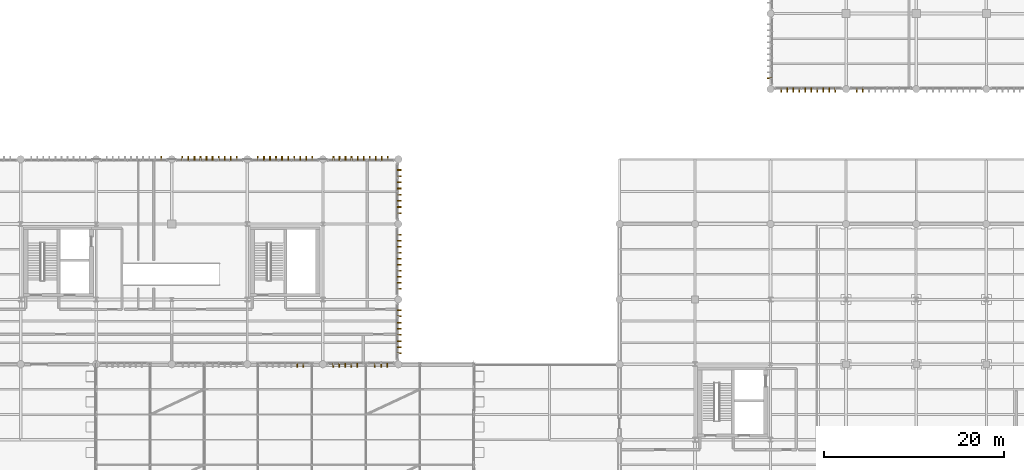
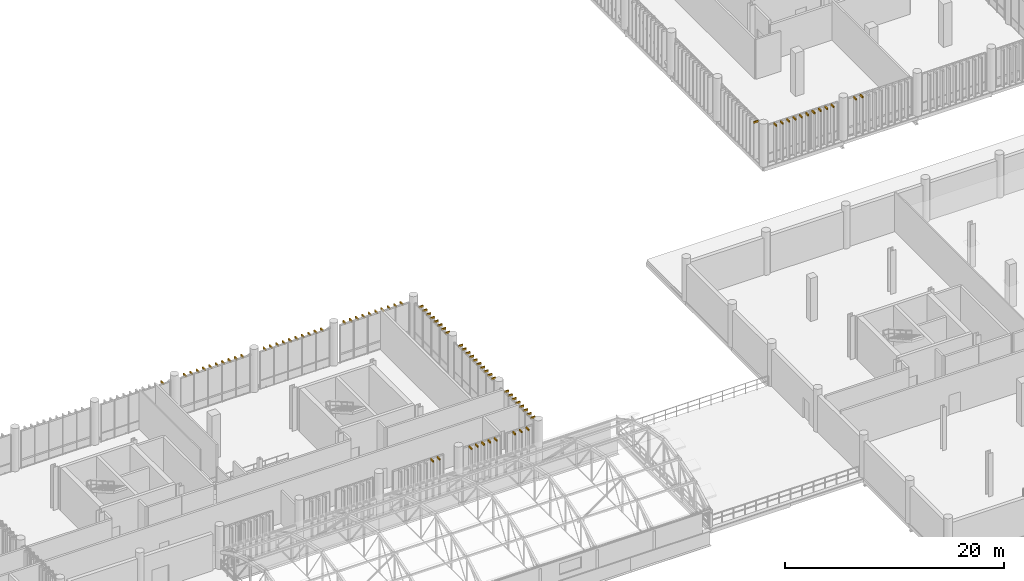
# One storey, part 108 of 109: 80 shading devices.
"""IFC4 building model written with IfcOpenShell, lengths in metres."""

import ifcopenshell
import ifcopenshell.guid

model = None  # the IFC model being written
_history = None  # IfcOwnerHistory: only IFC2X3 demands one
_inside = {}  # id of a spatial element -> (the spatial element, [elements in it])
_under = {}  # id of a project, library or spatial element -> (it, [spatial elements below it])
_declared = {}  # id of a project -> (the project, [libraries it declares])
_typed = {}  # id of a type object -> (the type object, [elements of that type])
_made_of = {}  # id of a material, layer set ... -> (it, [elements and type objects made of it])


def new_model(schema):
    """Start an empty IFC model of exactly this schema.

    Asked for "IFC4X3", IfcOpenShell would pick the latest addendum, in which some entities
    have other attributes; the version numbers below select the first issue.
    IFC2X3 requires an IfcOwnerHistory on every rooted entity: one is made here for all.
    """
    global model, _history
    if schema == "IFC4X3":
        model = ifcopenshell.file(schema_version=(4, 3, 0, 0))
    else:
        model = ifcopenshell.file(schema=schema)
    _inside.clear()
    _under.clear()
    _declared.clear()
    _typed.clear()
    _made_of.clear()
    _history = None
    if model.schema == "IFC2X3":
        org = make("IfcOrganization", Name="unknown")
        user = make(
            "IfcPersonAndOrganization",
            ThePerson=make("IfcPerson", FamilyName="unknown"),
            TheOrganization=org,
        )
        app = make(
            "IfcApplication",
            ApplicationDeveloper=org,
            Version="unknown",
            ApplicationFullName="unknown",
            ApplicationIdentifier="unknown",
        )
        _history = make(
            "IfcOwnerHistory",
            OwningUser=user,
            OwningApplication=app,
            ChangeAction="ADDED",
            CreationDate=0,
        )
    return model


def make(cls, **values):
    """One entity of the class cls with the attributes given. An attribute that is None is left unset."""
    return model.create_entity(
        cls, **{name: value for name, value in values.items() if value is not None}
    )


def rooted(cls, **values):
    """An entity with a GlobalId (a new one), such as an element, a storey or a relation."""
    return make(cls, GlobalId=ifcopenshell.guid.new(), OwnerHistory=_history, **values)


def si_unit(unit_type, name, prefix=None):
    """IfcSIUnit, for example si_unit("LENGTHUNIT", "METRE", prefix="MILLI")."""
    return make("IfcSIUnit", UnitType=unit_type, Prefix=prefix, Name=name)


def assignment(units):
    """IfcUnitAssignment: the units of a project."""
    return None if units is None else make("IfcUnitAssignment", Units=units)


def point(xyz):
    """IfcCartesianPoint."""
    return None if xyz is None else make("IfcCartesianPoint", Coordinates=xyz)


def direction(xyz):
    """IfcDirection."""
    return None if xyz is None else make("IfcDirection", DirectionRatios=xyz)


def frame(location, z_axis=None, x_axis=None):
    """IfcAxis2Placement3D, a coordinate frame: its origin and axes. An axis left out is left unset."""
    return make(
        "IfcAxis2Placement3D",
        Location=point(location),
        Axis=direction(z_axis),
        RefDirection=direction(x_axis),
    )


def frame_2d(location, x_axis=None):
    """IfcAxis2Placement2D, a coordinate frame in the plane: its origin and x axis."""
    return make(
        "IfcAxis2Placement2D", Location=point(location), RefDirection=direction(x_axis)
    )


def origin_with_axes():
    """The frame at (0, 0, 0) with the z axis (0, 0, 1) and the x axis (1, 0, 0) written out."""
    return frame((0.0, 0.0, 0.0), z_axis=(0.0, 0.0, 1.0), x_axis=(1.0, 0.0, 0.0))


def origin_2d_with_axis():
    """The frame at (0, 0) in the plane with the x axis (1, 0) written out."""
    return frame_2d((0.0, 0.0), x_axis=(1.0, 0.0))


def place(relative_to, where):
    """IfcLocalPlacement: puts the frame where relative to a parent placement (None: the world)."""
    return make(
        "IfcLocalPlacement", PlacementRelTo=relative_to, RelativePlacement=where
    )


def context(
    kind, dimensions, precision=None, world=None, true_north=None, identifier=None
):
    """IfcGeometricRepresentationContext, for example the 3D "Model" context."""
    return make(
        "IfcGeometricRepresentationContext",
        ContextIdentifier=identifier,
        ContextType=kind,
        CoordinateSpaceDimension=dimensions,
        Precision=precision,
        WorldCoordinateSystem=world,
        TrueNorth=true_north,
    )


def subcontext(parent, identifier, kind, view, scale=None):
    """IfcGeometricRepresentationSubContext, for example "Body" below "Model"."""
    return make(
        "IfcGeometricRepresentationSubContext",
        ContextIdentifier=identifier,
        ContextType=kind,
        ParentContext=parent,
        TargetScale=scale,
        TargetView=view,
    )


def project(units=None, contexts=None):
    """IfcProject with its units and contexts."""
    return rooted(
        "IfcProject",
        Name="project",
        RepresentationContexts=contexts,
        UnitsInContext=assignment(units),
    )


def spatial(cls, under=None, at=None, **own):
    """A site, building, storey or space (cls), placed at a placement, below another one or the project."""
    s = rooted(cls, ObjectPlacement=at, **own)
    if under is not None:
        _under.setdefault(under.id(), (under, []))[1].append(s)
    return s


def profile(cls, at=None, kind="AREA", **sizes):
    """A parametric profile (cls). Its sizes go by their IFC names, for example OverallWidth=200.0."""
    return make(cls, ProfileType=kind, Position=at, **sizes)


def rectangle(**sizes):
    """IfcRectangleProfileDef."""
    return profile("IfcRectangleProfileDef", **sizes)


def extrude(swept, where, along, depth):
    """IfcExtrudedAreaSolid: the profile swept, set in the frame where, extruded along a direction by depth."""
    return make(
        "IfcExtrudedAreaSolid",
        SweptArea=swept,
        Position=where,
        ExtrudedDirection=direction(along),
        Depth=depth,
    )


def shape(context_of_items, identifier, shape_type, items):
    """IfcShapeRepresentation: the items that make up one representation, for example the "Body"."""
    return make(
        "IfcShapeRepresentation",
        ContextOfItems=context_of_items,
        RepresentationIdentifier=identifier,
        RepresentationType=shape_type,
        Items=items,
    )


def material(Name=None, Category=None):
    """IfcMaterial."""
    return make("IfcMaterial", Name=Name, Category=Category)


def made_of(thing, what):
    """Note that an element or type object is made of a material, layer set ...; save() writes the relation."""
    if what is not None:
        _made_of.setdefault(what.id(), (what, []))[1].append(thing)
    return thing


def type_object(cls, material=None, **own):
    """A type object (cls), such as IfcWallType, which elements share."""
    return made_of(rooted(cls, **own), material)


def element(
    cls,
    number,
    at=None,
    inside=None,
    cuts=None,
    type_object=None,
    material=None,
    context=None,
    identifier="Body",
    shape_type=None,
    held_by="IfcProductDefinitionShape",
    body=None,
    shapes=None,
    **own,
):
    """One element of the class cls, such as IfcWall. Its Tag is "e" and its number.

    at: its placement. inside: the storey or other place that contains it. cuts: it is an
    opening in that element (IfcRelVoidsElement). A single representation is given by context,
    identifier, shape_type and body (its items); several are given by shapes. held_by: the class
    of the entity that holds the representations. save() writes the other relations.
    """
    e = rooted(cls, Tag="e%d" % number, ObjectPlacement=at, **own)
    if body is not None:
        shapes = [shape(context, identifier, shape_type, body)]
    if shapes is not None:
        e.Representation = make(held_by, Representations=shapes)
    if inside is not None:
        _inside.setdefault(inside.id(), (inside, []))[1].append(e)
    if cuts is not None:
        rooted(
            "IfcRelVoidsElement", RelatingBuildingElement=cuts, RelatedOpeningElement=e
        )
    if type_object is not None:
        _typed.setdefault(type_object.id(), (type_object, []))[1].append(e)
    return made_of(e, material)


def aggregate(whole, parts):
    """IfcRelAggregates: a whole, such as a stair, and the parts it consists of."""
    return rooted("IfcRelAggregates", RelatingObject=whole, RelatedObjects=parts)


def save(model, path):
    """Write the relations noted so far, then the file.

    IfcRelAggregates (storeys below a building ...), IfcRelContainedInSpatialStructure (elements
    in a storey), IfcRelDefinesByType, IfcRelAssociatesMaterial and IfcRelDeclares: one each for
    every whole, place, type object, material and project.
    """
    for whole, parts in _under.values():
        aggregate(whole, parts)
    for where, things in _inside.values():
        rooted(
            "IfcRelContainedInSpatialStructure",
            RelatedElements=things,
            RelatingStructure=where,
        )
    for kind, things in _typed.values():
        rooted("IfcRelDefinesByType", RelatedObjects=things, RelatingType=kind)
    for what, things in _made_of.values():
        rooted("IfcRelAssociatesMaterial", RelatedObjects=things, RelatingMaterial=what)
    for by, libraries in _declared.values():
        rooted("IfcRelDeclares", RelatingContext=by, RelatedDefinitions=libraries)
    model.write(path)


model = new_model("IFC4")

# Units and contexts
model_context = context("Model", 3, precision=1e-05, world=origin_with_axes(), true_north=direction((0.0, 1.0)))
body_context = subcontext(model_context, "Body", "Model", "MODEL_VIEW")
ifc_project = project(units=[si_unit("LENGTHUNIT", "METRE"), si_unit("AREAUNIT", "SQUARE_METRE"), si_unit("VOLUMEUNIT", "CUBIC_METRE"), si_unit("PLANEANGLEUNIT", "RADIAN"), si_unit("MASSUNIT", "GRAM", prefix="KILO"), si_unit("THERMODYNAMICTEMPERATUREUNIT", "KELVIN")], contexts=[model_context])

# Site, building, storey
site_placement = place(None, origin_with_axes())
site = spatial("IfcSite", under=ifc_project, at=site_placement, CompositionType="ELEMENT")
building_placement = place(site_placement, origin_with_axes())
building = spatial("IfcBuilding", under=site, at=building_placement, Name="Montbau Bow Law Courts", CompositionType="ELEMENT")
storey_placement = place(building_placement, frame((0.0, 0.0, 10.8), z_axis=(0.0, 0.0, 1.0), x_axis=(1.0, 0.0, 0.0)))
storey = spatial("IfcBuildingStorey", under=building, at=storey_placement, Name="L02", CompositionType="ELEMENT", Elevation=10.8)

# Shading devices
ifc_material_1 = material(Name="Freeze-Thaw Glazed Cream Ceramic Vertical Louvre", Category="masonry")
shading_device_type_1 = type_object("IfcShadingDeviceType", Name="SH-LVR-CRM", PredefinedType="USERDEFINED", material=ifc_material_1)
for number, where, z_axis, x_axis, name in (
    (1, (85.951, 38.89, 14.84), (0.0, 0.0, 1.0), (0.0, -1.0, 0.0), "LVR-L02-1437:shd_1437"),
    (2, (86.627, 38.89, 14.84), (0.0, 0.0, 1.0), (0.0, -1.0, 0.0), "LVR-L02-1438:shd_1438"),
    (3, (89.98, 38.89, 14.84), (0.0, 0.0, 1.0), (0.0, -1.0, 0.0), "LVR-L02-1439:shd_1439"),
    (4, (90.644, 38.89, 14.84), (0.0, 0.0, 1.0), (0.0, -1.0, 0.0), "LVR-L02-1440:shd_1440"),
    (5, (91.309, 38.89, 14.84), (0.0, 0.0, 1.0), (0.0, -1.0, 0.0), "LVR-L02-1441:shd_1441"),
    (6, (91.974, 38.89, 14.84), (0.0, 0.0, 1.0), (0.0, -1.0, 0.0), "LVR-L02-1442:shd_1442"),
    (7, (92.638, 38.89, 14.84), (0.0, 0.0, 1.0), (0.0, -1.0, 0.0), "LVR-L02-1443:shd_1443"),
    (8, (94.594, 38.89, 14.84), (0.0, 0.0, 1.0), (0.0, -1.0, 0.0), "LVR-L02-1444:shd_1444"),
    (9, (95.291, 38.89, 14.84), (0.0, 0.0, 1.0), (0.0, -1.0, 0.0), "LVR-L02-1445:shd_1445"),
    (10, (95.988, 38.89, 14.84), (0.0, 0.0, 1.0), (0.0, -1.0, 0.0), "LVR-L02-1446:shd_1446"),
    (11, (70.815, 61.91, 14.84), (0.0, 0.0, 1.0), (0.0, 1.0, 0.0), "LVR-L02-1476:shd_1476"),
    (12, (73.185, 61.91, 14.84), (0.0, 0.0, 1.0), (0.0, 1.0, 0.0), "LVR-L02-1477:shd_1477"),
    (13, (73.855, 61.91, 14.84), (0.0, 0.0, 1.0), (0.0, 1.0, 0.0), "LVR-L02-1478:shd_1478"),
    (14, (74.525, 61.91, 14.84), (0.0, 0.0, 1.0), (0.0, 1.0, 0.0), "LVR-L02-1479:shd_1479"),
    (15, (75.195, 61.91, 14.84), (0.0, 0.0, 1.0), (0.0, 1.0, 0.0), "LVR-L02-1480:shd_1480"),
    (16, (75.865, 61.91, 14.84), (0.0, 0.0, 1.0), (0.0, 1.0, 0.0), "LVR-L02-1481:shd_1481"),
    (17, (76.535, 61.91, 14.84), (0.0, 0.0, 1.0), (0.0, 1.0, 0.0), "LVR-L02-1482:shd_1482"),
    (18, (77.205, 61.91, 14.84), (0.0, 0.0, 1.0), (0.0, 1.0, 0.0), "LVR-L02-1483:shd_1483"),
    (19, (77.875, 61.91, 14.84), (0.0, 0.0, 1.0), (0.0, 1.0, 0.0), "LVR-L02-1484:shd_1484"),
    (20, (78.545, 61.91, 14.84), (0.0, 0.0, 1.0), (0.0, 1.0, 0.0), "LVR-L02-1485:shd_1485"),
    (21, (79.215, 61.91, 14.84), (0.0, 0.0, 1.0), (0.0, 1.0, 0.0), "LVR-L02-1486:shd_1486"),
    (22, (81.585, 61.91, 14.84), (0.0, 0.0, 1.0), (0.0, 1.0, 0.0), "LVR-L02-1487:shd_1487"),
    (23, (82.255, 61.91, 14.84), (0.0, 0.0, 1.0), (0.0, 1.0, 0.0), "LVR-L02-1488:shd_1488"),
    (24, (82.925, 61.91, 14.84), (0.0, 0.0, 1.0), (0.0, 1.0, 0.0), "LVR-L02-1489:shd_1489"),
    (25, (83.595, 61.91, 14.84), (0.0, 0.0, 1.0), (0.0, 1.0, 0.0), "LVR-L02-1490:shd_1490"),
    (26, (84.265, 61.91, 14.84), (0.0, 0.0, 1.0), (0.0, 1.0, 0.0), "LVR-L02-1491:shd_1491"),
    (27, (84.935, 61.91, 14.84), (0.0, 0.0, 1.0), (0.0, 1.0, 0.0), "LVR-L02-1492:shd_1492"),
    (28, (85.605, 61.91, 14.84), (0.0, 0.0, 1.0), (0.0, 1.0, 0.0), "LVR-L02-1493:shd_1493"),
    (29, (86.275, 61.91, 14.84), (0.0, 0.0, 1.0), (0.0, 1.0, 0.0), "LVR-L02-1494:shd_1494"),
    (30, (86.945, 61.91, 14.84), (0.0, 0.0, 1.0), (0.0, 1.0, 0.0), "LVR-L02-1495:shd_1495"),
    (31, (87.615, 61.91, 14.84), (0.0, 0.0, 1.0), (0.0, 1.0, 0.0), "LVR-L02-1496:shd_1496"),
    (32, (89.985, 61.91, 14.84), (0.0, 0.0, 1.0), (0.0, 1.0, 0.0), "LVR-L02-1497:shd_1497"),
    (33, (90.655, 61.91, 14.84), (0.0, 0.0, 1.0), (0.0, 1.0, 0.0), "LVR-L02-1498:shd_1498"),
    (34, (91.325, 61.91, 14.84), (0.0, 0.0, 1.0), (0.0, 1.0, 0.0), "LVR-L02-1499:shd_1499"),
    (35, (91.995, 61.91, 14.84), (0.0, 0.0, 1.0), (0.0, 1.0, 0.0), "LVR-L02-1500:shd_1500"),
    (36, (92.665, 61.91, 14.84), (0.0, 0.0, 1.0), (0.0, 1.0, 0.0), "LVR-L02-1501:shd_1501"),
    (37, (93.335, 61.91, 14.84), (0.0, 0.0, 1.0), (0.0, 1.0, 0.0), "LVR-L02-1502:shd_1502"),
    (38, (94.005, 61.91, 14.84), (0.0, 0.0, 1.0), (0.0, 1.0, 0.0), "LVR-L02-1503:shd_1503"),
    (39, (94.675, 61.91, 14.84), (0.0, 0.0, 1.0), (0.0, 1.0, 0.0), "LVR-L02-1504:shd_1504"),
    (40, (95.345, 61.91, 14.84), (0.0, 0.0, 1.0), (0.0, 1.0, 0.0), "LVR-L02-1505:shd_1505"),
    (41, (96.015, 61.91, 14.84), (0.0, 0.0, 1.0), (0.0, 1.0, 0.0), "LVR-L02-1506:shd_1506"),
    (42, (97.31, 40.201, 14.84), (0.0, 0.0, 1.0), (1.0, 0.0, 0.0), "LVR-L02-1533:shd_1533"),
    (43, (97.31, 40.886, 14.84), (0.0, 0.0, 1.0), (1.0, 0.0, 0.0), "LVR-L02-1534:shd_1534"),
    (44, (97.31, 41.572, 14.84), (0.0, 0.0, 1.0), (1.0, 0.0, 0.0), "LVR-L02-1535:shd_1535"),
    (45, (97.31, 42.257, 14.84), (0.0, 0.0, 1.0), (1.0, 0.0, 0.0), "LVR-L02-1536:shd_1536"),
    (46, (97.31, 42.943, 14.84), (0.0, 0.0, 1.0), (1.0, 0.0, 0.0), "LVR-L02-1537:shd_1537"),
    (47, (97.31, 43.628, 14.84), (0.0, 0.0, 1.0), (1.0, 0.0, 0.0), "LVR-L02-1538:shd_1538"),
    (48, (97.31, 44.314, 14.84), (0.0, 0.0, 1.0), (1.0, 0.0, 0.0), "LVR-L02-1539:shd_1539"),
    (49, (97.31, 44.999, 14.84), (0.0, 0.0, 1.0), (1.0, 0.0, 0.0), "LVR-L02-1540:shd_1540"),
    (50, (97.31, 47.385, 14.84), (0.0, 0.0, 1.0), (1.0, 0.0, 0.0), "LVR-L02-1541:shd_1541"),
    (51, (97.31, 48.055, 14.84), (0.0, 0.0, 1.0), (1.0, 0.0, 0.0), "LVR-L02-1542:shd_1542"),
    (52, (97.31, 48.725, 14.84), (0.0, 0.0, 1.0), (1.0, 0.0, 0.0), "LVR-L02-1543:shd_1543"),
    (53, (97.31, 49.395, 14.84), (0.0, 0.0, 1.0), (1.0, 0.0, 0.0), "LVR-L02-1544:shd_1544"),
    (54, (97.31, 50.065, 14.84), (0.0, 0.0, 1.0), (1.0, 0.0, 0.0), "LVR-L02-1545:shd_1545"),
    (55, (97.31, 50.735, 14.84), (0.0, 0.0, 1.0), (1.0, 0.0, 0.0), "LVR-L02-1546:shd_1546"),
    (56, (97.31, 51.405, 14.84), (0.0, 0.0, 1.0), (1.0, 0.0, 0.0), "LVR-L02-1547:shd_1547"),
    (57, (97.31, 52.075, 14.84), (0.0, 0.0, 1.0), (1.0, 0.0, 0.0), "LVR-L02-1548:shd_1548"),
    (58, (97.31, 52.745, 14.84), (0.0, 0.0, 1.0), (1.0, 0.0, 0.0), "LVR-L02-1549:shd_1549"),
    (59, (97.31, 53.415, 14.84), (0.0, 0.0, 1.0), (1.0, 0.0, 0.0), "LVR-L02-1550:shd_1550"),
    (60, (97.31, 55.801, 14.84), (0.0, 0.0, 1.0), (1.0, 0.0, 0.0), "LVR-L02-1551:shd_1551"),
    (61, (97.31, 56.486, 14.84), (0.0, 0.0, 1.0), (1.0, 0.0, 0.0), "LVR-L02-1552:shd_1552"),
    (62, (97.31, 57.172, 14.84), (0.0, 0.0, 1.0), (1.0, 0.0, 0.0), "LVR-L02-1553:shd_1553"),
    (63, (97.31, 57.857, 14.84), (0.0, 0.0, 1.0), (1.0, 0.0, 0.0), "LVR-L02-1554:shd_1554"),
    (64, (97.31, 58.543, 14.84), (0.0, 0.0, 1.0), (1.0, 0.0, 0.0), "LVR-L02-1555:shd_1555"),
    (65, (97.31, 59.228, 14.84), (0.0, 0.0, 1.0), (1.0, 0.0, 0.0), "LVR-L02-1556:shd_1556"),
    (66, (97.31, 59.914, 14.84), (0.0, 0.0, 1.0), (1.0, 0.0, 0.0), "LVR-L02-1557:shd_1557"),
    (67, (97.31, 60.599, 14.84), (0.0, 0.0, 1.0), (1.0, 0.0, 0.0), "LVR-L02-1558:shd_1558"),
):
    element("IfcShadingDevice", number, at=place(None, frame(where, z_axis=z_axis, x_axis=x_axis)), inside=storey, type_object=shading_device_type_1, Name=name, ObjectType="LOUVRE", PredefinedType="USERDEFINED", context=body_context, shape_type="SweptSolid", body=[
        extrude(rectangle(XDim=0.48, YDim=0.12, at=origin_2d_with_axis()), origin_with_axes(), (0.0, 0.0, 1.0), 0.18),
    ])
ifc_material_2 = material(Name="Freeze-Thaw Glazed Slate-Grey Ceramic Vertical Louvre", Category="masonry")
shading_device_type_2 = type_object("IfcShadingDeviceType", Name="SH-LVR-SLT", PredefinedType="USERDEFINED", material=ifc_material_2)
for number, where, z_axis, x_axis, name in (
    (68, (139.785, 69.49, 14.84), (0.0, 0.0, 1.0), (0.0, -1.0, 0.0), "LVR-L02-2598:shd_2598"),
    (69, (140.455, 69.49, 14.84), (0.0, 0.0, 1.0), (0.0, -1.0, 0.0), "LVR-L02-2599:shd_2599"),
    (70, (141.125, 69.49, 14.84), (0.0, 0.0, 1.0), (0.0, -1.0, 0.0), "LVR-L02-2600:shd_2600"),
    (71, (141.795, 69.49, 14.84), (0.0, 0.0, 1.0), (0.0, -1.0, 0.0), "LVR-L02-2601:shd_2601"),
    (72, (142.465, 69.49, 14.84), (0.0, 0.0, 1.0), (0.0, -1.0, 0.0), "LVR-L02-2602:shd_2602"),
    (73, (143.135, 69.49, 14.84), (0.0, 0.0, 1.0), (0.0, -1.0, 0.0), "LVR-L02-2603:shd_2603"),
    (74, (143.805, 69.49, 14.84), (0.0, 0.0, 1.0), (0.0, -1.0, 0.0), "LVR-L02-2604:shd_2604"),
    (75, (144.475, 69.49, 14.84), (0.0, 0.0, 1.0), (0.0, -1.0, 0.0), "LVR-L02-2605:shd_2605"),
    (76, (145.145, 69.49, 14.84), (0.0, 0.0, 1.0), (0.0, -1.0, 0.0), "LVR-L02-2606:shd_2606"),
    (77, (145.815, 69.49, 14.84), (0.0, 0.0, 1.0), (0.0, -1.0, 0.0), "LVR-L02-2607:shd_2607"),
    (78, (148.192, 69.49, 14.84), (0.0, 0.0, 1.0), (0.0, -1.0, 0.0), "LVR-L02-2608:shd_2608"),
    (79, (148.869, 69.49, 14.84), (0.0, 0.0, 1.0), (0.0, -1.0, 0.0), "LVR-L02-2609:shd_2609"),
    (80, (138.49, 70.785, 14.84), (0.0, 0.0, 1.0), (-1.0, 0.0, 0.0), "LVR-L02-2670:shd_2670"),
):
    element("IfcShadingDevice", number, at=place(None, frame(where, z_axis=z_axis, x_axis=x_axis)), inside=storey, type_object=shading_device_type_2, Name=name, ObjectType="LOUVRE", PredefinedType="USERDEFINED", context=body_context, shape_type="SweptSolid", body=[
        extrude(rectangle(XDim=0.48, YDim=0.12, at=origin_2d_with_axis()), origin_with_axes(), (0.0, 0.0, 1.0), 0.18),
    ])

save(model, "model.ifc")
